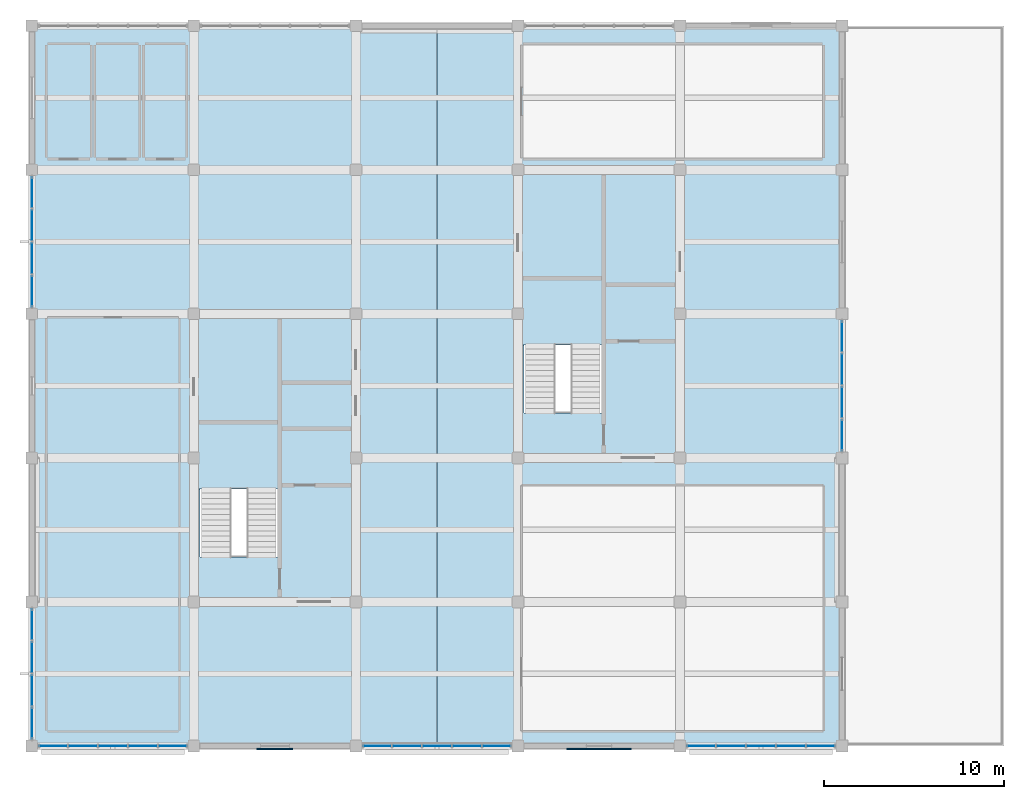
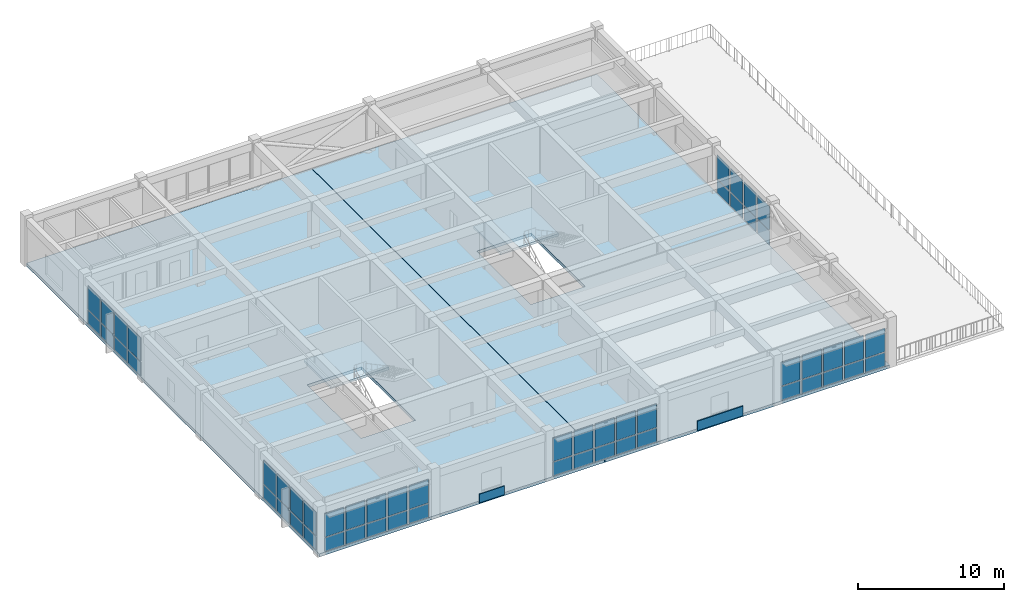
# One storey, part 7 of 12: 56 plates, 4 slabs, 8 elements without a shape of their own.
"""IFC4 building model written with IfcOpenShell, lengths in metres."""

from ifc_helpers import new_model, si_unit, direction, frame, frame_2d, origin, place, context, subcontext, project, spatial, polyline, rectangle, outline, extrude, material, layer, layer_set, type_object, element, aggregate, save


model = new_model("IFC4")

# Units and contexts
model_context = context("Model", 3, precision=1e-05, world=origin(), true_north=direction((0.0, 1.0)))
body_context = subcontext(model_context, "Body", "Model", "MODEL_VIEW")
ifc_project = project(units=[si_unit("LENGTHUNIT", "METRE"), si_unit("AREAUNIT", "SQUARE_METRE"), si_unit("VOLUMEUNIT", "CUBIC_METRE"), si_unit("PLANEANGLEUNIT", "RADIAN"), si_unit("MASSUNIT", "GRAM", prefix="KILO")], contexts=[model_context])

# Site, building, storey
site_placement = place(None, origin())
site = spatial("IfcSite", under=ifc_project, at=site_placement, CompositionType="ELEMENT")
building_placement = place(site_placement, origin())
building = spatial("IfcBuilding", under=site, at=building_placement, Name="Zaverband Oceanarium and Marine Research Institute", CompositionType="ELEMENT")
storey_placement = place(building_placement, frame((0.0, 0.0, 68.699951171875)))
storey = spatial("IfcBuildingStorey", under=building, at=storey_placement, Name="L17", CompositionType="ELEMENT", Elevation=68.699951171875)

# Curtain wall, plates
ifc_material_1 = material(Name="Thermally broken anodized aluminium and solar-control glass", Category="aluminium")
curtain_wall_type = type_object("IfcCurtainWallType", Name="CW-UNIT-1800", PredefinedType="NOTDEFINED", material=ifc_material_1)
curtain_wall_1_placement = place(storey_placement, origin())
curtain_wall_1 = element("IfcCurtainWall", 1, at=curtain_wall_1_placement, inside=storey, type_object=curtain_wall_type, Name="Unitised glazed curtain wall CW-174", PredefinedType="NOTDEFINED")
ifc_material_2 = material(Name="Low-E double-glazed solar-control glass", Category="glass")
ifc_layer_1 = layer(ifc_material_2, 0.033935546875, Name="Low-E double-glazed solar-control glass")
ifc_layer_set_1 = layer_set([ifc_layer_1], Name="Low-E double-glazed solar-control glass")
plate_type_1 = type_object("IfcPlateType", Name="CWP-1608x1145", PredefinedType="CURTAIN_PANEL", material=ifc_layer_set_1)
plate_1_placement = place(storey_placement, frame((9.409912109375, 72.0, 0.050048828125), z_axis=(0.0, 0.0, 1.0), x_axis=(1.0, 0.0, 0.0)))
plate_1 = element("IfcPlate", 2, at=plate_1_placement, type_object=plate_type_1, Name="Glazed curtain wall panel CWP-1608x1145", PredefinedType="CURTAIN_PANEL", context=body_context, shape_type="SweptSolid", body=[
    extrude(rectangle(XDim=1.508056640625, YDim=0.033935546875, at=frame_2d((0.75390625, 0.0))), origin(), (0.0, 0.0, 1.0), 1.14404296875),
])
plate_2_placement = place(storey_placement, frame((11.077880859375, 72.0, 0.050048828125), z_axis=(0.0, 0.0, 1.0), x_axis=(1.0, 0.0, 0.0)))
plate_2 = element("IfcPlate", 3, at=plate_2_placement, type_object=plate_type_1, Name="Glazed curtain wall panel CWP-1608x1145", PredefinedType="CURTAIN_PANEL", context=body_context, shape_type="SweptSolid", body=[
    extrude(rectangle(XDim=1.508056640625, YDim=0.033935546875, at=frame_2d((0.75390625, 0.0))), origin(), (0.0, 0.0, 1.0), 1.14404296875),
])
plate_3_placement = place(storey_placement, frame((12.74609375, 72.0, 0.050048828125), z_axis=(0.0, 0.0, 1.0), x_axis=(1.0, 0.0, 0.0)))
plate_3 = element("IfcPlate", 4, at=plate_3_placement, type_object=plate_type_1, Name="Glazed curtain wall panel CWP-1608x1145", PredefinedType="CURTAIN_PANEL", context=body_context, shape_type="SweptSolid", body=[
    extrude(rectangle(XDim=1.5078125, YDim=0.033935546875, at=frame_2d((0.75390625, 0.0))), origin(), (0.0, 0.0, 1.0), 1.14404296875),
])
plate_4_placement = place(storey_placement, frame((14.4140625, 72.0, 0.050048828125), z_axis=(0.0, 0.0, 1.0), x_axis=(1.0, 0.0, 0.0)))
plate_4 = element("IfcPlate", 5, at=plate_4_placement, type_object=plate_type_1, Name="Glazed curtain wall panel CWP-1608x1145", PredefinedType="CURTAIN_PANEL", context=body_context, shape_type="SweptSolid", body=[
    extrude(rectangle(XDim=1.508056640625, YDim=0.033935546875, at=frame_2d((0.75390625, 0.0))), origin(), (0.0, 0.0, 1.0), 1.14404296875),
])
plate_5_placement = place(storey_placement, frame((16.08203125, 72.0, 0.050048828125), z_axis=(0.0, 0.0, 1.0), x_axis=(1.0, 0.0, 0.0)))
plate_5 = element("IfcPlate", 6, at=plate_5_placement, type_object=plate_type_1, Name="Glazed curtain wall panel CWP-1608x1145", PredefinedType="CURTAIN_PANEL", context=body_context, shape_type="SweptSolid", body=[
    extrude(rectangle(XDim=1.508056640625, YDim=0.033935546875, at=frame_2d((0.75390625, 0.0))), origin(), (0.0, 0.0, 1.0), 1.14404296875),
])

curtain_wall_2_placement = place(storey_placement, origin())
curtain_wall_2 = element("IfcCurtainWall", 7, at=curtain_wall_2_placement, inside=storey, type_object=curtain_wall_type, Name="Unitised glazed curtain wall CW-175", PredefinedType="NOTDEFINED")
plate_6_placement = place(storey_placement, frame((27.409912109375, 72.0, 0.050048828125), z_axis=(0.0, 0.0, 1.0), x_axis=(1.0, 0.0, 0.0)))
plate_6 = element("IfcPlate", 8, at=plate_6_placement, type_object=plate_type_1, Name="Glazed curtain wall panel CWP-1608x1145", PredefinedType="CURTAIN_PANEL", context=body_context, shape_type="SweptSolid", body=[
    extrude(rectangle(XDim=1.508056640625, YDim=0.033935546875, at=frame_2d((0.75390625, 0.0))), origin(), (0.0, 0.0, 1.0), 1.14404296875),
])
plate_7_placement = place(storey_placement, frame((29.077880859375, 72.0, 0.050048828125), z_axis=(0.0, 0.0, 1.0), x_axis=(1.0, 0.0, 0.0)))
plate_7 = element("IfcPlate", 9, at=plate_7_placement, type_object=plate_type_1, Name="Glazed curtain wall panel CWP-1608x1145", PredefinedType="CURTAIN_PANEL", context=body_context, shape_type="SweptSolid", body=[
    extrude(rectangle(XDim=1.508056640625, YDim=0.033935546875, at=frame_2d((0.75390625, 0.0))), origin(), (0.0, 0.0, 1.0), 1.14404296875),
])
plate_8_placement = place(storey_placement, frame((30.74609375, 72.0, 0.050048828125), z_axis=(0.0, 0.0, 1.0), x_axis=(1.0, 0.0, 0.0)))
plate_8 = element("IfcPlate", 10, at=plate_8_placement, type_object=plate_type_1, Name="Glazed curtain wall panel CWP-1608x1145", PredefinedType="CURTAIN_PANEL", context=body_context, shape_type="SweptSolid", body=[
    extrude(rectangle(XDim=1.5078125, YDim=0.033935546875, at=frame_2d((0.75390625, 0.0))), origin(), (0.0, 0.0, 1.0), 1.14404296875),
])
plate_9_placement = place(storey_placement, frame((32.4140625, 72.0, 0.050048828125), z_axis=(0.0, 0.0, 1.0), x_axis=(1.0, 0.0, 0.0)))
plate_9 = element("IfcPlate", 11, at=plate_9_placement, type_object=plate_type_1, Name="Glazed curtain wall panel CWP-1608x1145", PredefinedType="CURTAIN_PANEL", context=body_context, shape_type="SweptSolid", body=[
    extrude(rectangle(XDim=1.508056640625, YDim=0.033935546875, at=frame_2d((0.75390625, 0.0))), origin(), (0.0, 0.0, 1.0), 1.14404296875),
])
plate_10_placement = place(storey_placement, frame((34.08203125, 72.0, 0.050048828125), z_axis=(0.0, 0.0, 1.0), x_axis=(1.0, 0.0, 0.0)))
plate_10 = element("IfcPlate", 12, at=plate_10_placement, type_object=plate_type_1, Name="Glazed curtain wall panel CWP-1608x1145", PredefinedType="CURTAIN_PANEL", context=body_context, shape_type="SweptSolid", body=[
    extrude(rectangle(XDim=1.508056640625, YDim=0.033935546875, at=frame_2d((0.75390625, 0.0))), origin(), (0.0, 0.0, 1.0), 1.14404296875),
])

curtain_wall_3_placement = place(storey_placement, origin())
curtain_wall_3 = element("IfcCurtainWall", 13, at=curtain_wall_3_placement, inside=storey, type_object=curtain_wall_type, Name="Unitised glazed curtain wall CW-176", PredefinedType="NOTDEFINED")
plate_11_placement = place(storey_placement, frame((45.409912109375, 72.0, 0.050048828125), z_axis=(0.0, 0.0, 1.0), x_axis=(1.0, 0.0, 0.0)))
plate_11 = element("IfcPlate", 14, at=plate_11_placement, type_object=plate_type_1, Name="Glazed curtain wall panel CWP-1608x1145", PredefinedType="CURTAIN_PANEL", context=body_context, shape_type="SweptSolid", body=[
    extrude(rectangle(XDim=1.508056640625, YDim=0.033935546875, at=frame_2d((0.75390625, 0.0))), origin(), (0.0, 0.0, 1.0), 1.14404296875),
])
plate_12_placement = place(storey_placement, frame((47.077880859375, 72.0, 0.050048828125), z_axis=(0.0, 0.0, 1.0), x_axis=(1.0, 0.0, 0.0)))
plate_12 = element("IfcPlate", 15, at=plate_12_placement, type_object=plate_type_1, Name="Glazed curtain wall panel CWP-1608x1145", PredefinedType="CURTAIN_PANEL", context=body_context, shape_type="SweptSolid", body=[
    extrude(rectangle(XDim=1.508056640625, YDim=0.033935546875, at=frame_2d((0.75390625, 0.0))), origin(), (0.0, 0.0, 1.0), 1.14404296875),
])
plate_13_placement = place(storey_placement, frame((48.74609375, 72.0, 0.050048828125), z_axis=(0.0, 0.0, 1.0), x_axis=(1.0, 0.0, 0.0)))
plate_13 = element("IfcPlate", 16, at=plate_13_placement, type_object=plate_type_1, Name="Glazed curtain wall panel CWP-1608x1145", PredefinedType="CURTAIN_PANEL", context=body_context, shape_type="SweptSolid", body=[
    extrude(rectangle(XDim=1.5078125, YDim=0.033935546875, at=frame_2d((0.75390625, 0.0))), origin(), (0.0, 0.0, 1.0), 1.14404296875),
])
plate_14_placement = place(storey_placement, frame((50.4140625, 72.0, 0.050048828125), z_axis=(0.0, 0.0, 1.0), x_axis=(1.0, 0.0, 0.0)))
plate_14 = element("IfcPlate", 17, at=plate_14_placement, type_object=plate_type_1, Name="Glazed curtain wall panel CWP-1608x1145", PredefinedType="CURTAIN_PANEL", context=body_context, shape_type="SweptSolid", body=[
    extrude(rectangle(XDim=1.508056640625, YDim=0.033935546875, at=frame_2d((0.75390625, 0.0))), origin(), (0.0, 0.0, 1.0), 1.14404296875),
])
plate_15_placement = place(storey_placement, frame((52.08203125, 72.0, 0.050048828125), z_axis=(0.0, 0.0, 1.0), x_axis=(1.0, 0.0, 0.0)))
plate_15 = element("IfcPlate", 18, at=plate_15_placement, type_object=plate_type_1, Name="Glazed curtain wall panel CWP-1608x1145", PredefinedType="CURTAIN_PANEL", context=body_context, shape_type="SweptSolid", body=[
    extrude(rectangle(XDim=1.508056640625, YDim=0.033935546875, at=frame_2d((0.75390625, 0.0))), origin(), (0.0, 0.0, 1.0), 1.14404296875),
])

curtain_wall_4_placement = place(storey_placement, origin())
curtain_wall_4 = element("IfcCurtainWall", 19, at=curtain_wall_4_placement, inside=storey, type_object=curtain_wall_type, Name="Unitised glazed curtain wall CW-180", PredefinedType="NOTDEFINED")
plate_16_placement = place(storey_placement, frame((9.0, 72.409912109375, 0.050048828125), z_axis=(0.0, 0.0, 1.0), x_axis=(0.0, 1.0, 0.0)))
plate_16 = element("IfcPlate", 20, at=plate_16_placement, type_object=plate_type_1, Name="Glazed curtain wall panel CWP-1608x1145", PredefinedType="CURTAIN_PANEL", context=body_context, shape_type="SweptSolid", body=[
    extrude(rectangle(XDim=1.675048828125, YDim=0.033935546875, at=frame_2d((0.83740234375, 0.0))), origin(), (0.0, 0.0, 1.0), 1.14404296875),
])
plate_17_placement = place(storey_placement, frame((9.0, 74.2451171875, 0.050048828125), z_axis=(0.0, 0.0, 1.0), x_axis=(0.0, 1.0, 0.0)))
plate_17 = element("IfcPlate", 21, at=plate_17_placement, type_object=plate_type_1, Name="Glazed curtain wall panel CWP-1608x1145", PredefinedType="CURTAIN_PANEL", context=body_context, shape_type="SweptSolid", body=[
    extrude(rectangle(XDim=1.6748046875, YDim=0.033935546875, at=frame_2d((0.83740234375, 0.0))), origin(), (0.0, 0.0, 1.0), 1.14404296875),
])
plate_18_placement = place(storey_placement, frame((9.0, 76.080078125, 0.050048828125), z_axis=(0.0, 0.0, 1.0), x_axis=(0.0, 1.0, 0.0)))
plate_18 = element("IfcPlate", 22, at=plate_18_placement, type_object=plate_type_1, Name="Glazed curtain wall panel CWP-1608x1145", PredefinedType="CURTAIN_PANEL", context=body_context, shape_type="SweptSolid", body=[
    extrude(rectangle(XDim=1.6748046875, YDim=0.033935546875, at=frame_2d((0.83740234375, 0.0))), origin(), (0.0, 0.0, 1.0), 1.14404296875),
])
plate_19_placement = place(storey_placement, frame((9.0, 77.9150390625, 0.050048828125), z_axis=(0.0, 0.0, 1.0), x_axis=(0.0, 1.0, 0.0)))
plate_19 = element("IfcPlate", 23, at=plate_19_placement, type_object=plate_type_1, Name="Glazed curtain wall panel CWP-1608x1145", PredefinedType="CURTAIN_PANEL", context=body_context, shape_type="SweptSolid", body=[
    extrude(rectangle(XDim=1.675048828125, YDim=0.033935546875, at=frame_2d((0.83740234375, 0.0))), origin(), (0.0, 0.0, 1.0), 1.14404296875),
])

curtain_wall_5_placement = place(storey_placement, origin())
curtain_wall_5 = element("IfcCurtainWall", 24, at=curtain_wall_5_placement, inside=storey, type_object=curtain_wall_type, Name="Unitised glazed curtain wall CW-181", PredefinedType="NOTDEFINED")
plate_20_placement = place(storey_placement, frame((9.0, 96.409912109375, 0.050048828125), z_axis=(0.0, 0.0, 1.0), x_axis=(0.0, 1.0, 0.0)))
plate_20 = element("IfcPlate", 25, at=plate_20_placement, type_object=plate_type_1, Name="Glazed curtain wall panel CWP-1608x1145", PredefinedType="CURTAIN_PANEL", context=body_context, shape_type="SweptSolid", body=[
    extrude(rectangle(XDim=1.675048828125, YDim=0.033935546875, at=frame_2d((0.83740234375, 0.0))), origin(), (0.0, 0.0, 1.0), 1.14404296875),
])
plate_21_placement = place(storey_placement, frame((9.0, 98.2451171875, 0.050048828125), z_axis=(0.0, 0.0, 1.0), x_axis=(0.0, 1.0, 0.0)))
plate_21 = element("IfcPlate", 26, at=plate_21_placement, type_object=plate_type_1, Name="Glazed curtain wall panel CWP-1608x1145", PredefinedType="CURTAIN_PANEL", context=body_context, shape_type="SweptSolid", body=[
    extrude(rectangle(XDim=1.6748046875, YDim=0.033935546875, at=frame_2d((0.83740234375, 0.0))), origin(), (0.0, 0.0, 1.0), 1.14404296875),
])
plate_22_placement = place(storey_placement, frame((9.0, 100.080078125, 0.050048828125), z_axis=(0.0, 0.0, 1.0), x_axis=(0.0, 1.0, 0.0)))
plate_22 = element("IfcPlate", 27, at=plate_22_placement, type_object=plate_type_1, Name="Glazed curtain wall panel CWP-1608x1145", PredefinedType="CURTAIN_PANEL", context=body_context, shape_type="SweptSolid", body=[
    extrude(rectangle(XDim=1.6748046875, YDim=0.033935546875, at=frame_2d((0.83740234375, 0.0))), origin(), (0.0, 0.0, 1.0), 1.14404296875),
])
plate_23_placement = place(storey_placement, frame((9.0, 101.9150390625, 0.050048828125), z_axis=(0.0, 0.0, 1.0), x_axis=(0.0, 1.0, 0.0)))
plate_23 = element("IfcPlate", 28, at=plate_23_placement, type_object=plate_type_1, Name="Glazed curtain wall panel CWP-1608x1145", PredefinedType="CURTAIN_PANEL", context=body_context, shape_type="SweptSolid", body=[
    extrude(rectangle(XDim=1.675048828125, YDim=0.033935546875, at=frame_2d((0.83740234375, 0.0))), origin(), (0.0, 0.0, 1.0), 1.14404296875),
])

curtain_wall_6_placement = place(storey_placement, origin())
curtain_wall_6 = element("IfcCurtainWall", 29, at=curtain_wall_6_placement, inside=storey, type_object=curtain_wall_type, Name="Unitised glazed curtain wall CW-182", PredefinedType="NOTDEFINED")
plate_24_placement = place(storey_placement, frame((54.0, 88.409912109375, 0.050048828125), z_axis=(0.0, 0.0, 1.0), x_axis=(0.0, 1.0, 0.0)))
plate_24 = element("IfcPlate", 30, at=plate_24_placement, type_object=plate_type_1, Name="Glazed curtain wall panel CWP-1608x1145", PredefinedType="CURTAIN_PANEL", context=body_context, shape_type="SweptSolid", body=[
    extrude(rectangle(XDim=1.675048828125, YDim=0.033935546875, at=frame_2d((0.83740234375, 0.0))), origin(), (0.0, 0.0, 1.0), 1.14404296875),
])
plate_25_placement = place(storey_placement, frame((54.0, 90.2451171875, 0.050048828125), z_axis=(0.0, 0.0, 1.0), x_axis=(0.0, 1.0, 0.0)))
plate_25 = element("IfcPlate", 31, at=plate_25_placement, type_object=plate_type_1, Name="Glazed curtain wall panel CWP-1608x1145", PredefinedType="CURTAIN_PANEL", context=body_context, shape_type="SweptSolid", body=[
    extrude(rectangle(XDim=1.6748046875, YDim=0.033935546875, at=frame_2d((0.83740234375, 0.0))), origin(), (0.0, 0.0, 1.0), 1.14404296875),
])
plate_26_placement = place(storey_placement, frame((54.0, 92.080078125, 0.050048828125), z_axis=(0.0, 0.0, 1.0), x_axis=(0.0, 1.0, 0.0)))
plate_26 = element("IfcPlate", 32, at=plate_26_placement, type_object=plate_type_1, Name="Glazed curtain wall panel CWP-1608x1145", PredefinedType="CURTAIN_PANEL", context=body_context, shape_type="SweptSolid", body=[
    extrude(rectangle(XDim=1.6748046875, YDim=0.033935546875, at=frame_2d((0.83740234375, 0.0))), origin(), (0.0, 0.0, 1.0), 1.14404296875),
])
plate_27_placement = place(storey_placement, frame((54.0, 93.9150390625, 0.050048828125), z_axis=(0.0, 0.0, 1.0), x_axis=(0.0, 1.0, 0.0)))
plate_27 = element("IfcPlate", 33, at=plate_27_placement, type_object=plate_type_1, Name="Glazed curtain wall panel CWP-1608x1145", PredefinedType="CURTAIN_PANEL", context=body_context, shape_type="SweptSolid", body=[
    extrude(rectangle(XDim=1.675048828125, YDim=0.033935546875, at=frame_2d((0.83740234375, 0.0))), origin(), (0.0, 0.0, 1.0), 1.14404296875),
])

# Plate
ifc_layer_2 = layer(ifc_material_2, 0.035888671875, Name="Low-E double-glazed solar-control glass")
ifc_layer_set_2 = layer_set([ifc_layer_2], Name="Low-E double-glazed solar-control glass")
plate_type_2 = type_object("IfcPlateType", Name="CWP-1608x1965", PredefinedType="CURTAIN_PANEL", material=ifc_layer_set_2)
plate_28_placement = place(storey_placement, frame((9.409912109375, 72.0, 1.26416015625), z_axis=(0.0, 0.0, 1.0), x_axis=(1.0, 0.0, 0.0)))
plate_28 = element("IfcPlate", 34, at=plate_28_placement, type_object=plate_type_2, Name="Glazed curtain wall panel CWP-1608x1965", PredefinedType="CURTAIN_PANEL", context=body_context, shape_type="SweptSolid", body=[
    extrude(rectangle(XDim=1.508056640625, YDim=0.035888671875, at=frame_2d((0.75390625, 0.0))), origin(), (0.0, 0.0, 1.0), 1.9658203125),
])

plate_29_placement = place(storey_placement, frame((11.077880859375, 72.0, 1.26416015625), z_axis=(0.0, 0.0, 1.0), x_axis=(1.0, 0.0, 0.0)))
plate_29 = element("IfcPlate", 35, at=plate_29_placement, type_object=plate_type_2, Name="Glazed curtain wall panel CWP-1608x1965", PredefinedType="CURTAIN_PANEL", context=body_context, shape_type="SweptSolid", body=[
    extrude(rectangle(XDim=1.508056640625, YDim=0.035888671875, at=frame_2d((0.75390625, 0.0))), origin(), (0.0, 0.0, 1.0), 1.9658203125),
])

plate_30_placement = place(storey_placement, frame((12.74609375, 72.0, 1.26416015625), z_axis=(0.0, 0.0, 1.0), x_axis=(1.0, 0.0, 0.0)))
plate_30 = element("IfcPlate", 36, at=plate_30_placement, type_object=plate_type_2, Name="Glazed curtain wall panel CWP-1608x1965", PredefinedType="CURTAIN_PANEL", context=body_context, shape_type="SweptSolid", body=[
    extrude(rectangle(XDim=1.5078125, YDim=0.035888671875, at=frame_2d((0.75390625, 0.0))), origin(), (0.0, 0.0, 1.0), 1.9658203125),
])

plate_31_placement = place(storey_placement, frame((14.4140625, 72.0, 1.26416015625), z_axis=(0.0, 0.0, 1.0), x_axis=(1.0, 0.0, 0.0)))
plate_31 = element("IfcPlate", 37, at=plate_31_placement, type_object=plate_type_2, Name="Glazed curtain wall panel CWP-1608x1965", PredefinedType="CURTAIN_PANEL", context=body_context, shape_type="SweptSolid", body=[
    extrude(rectangle(XDim=1.508056640625, YDim=0.035888671875, at=frame_2d((0.75390625, 0.0))), origin(), (0.0, 0.0, 1.0), 1.9658203125),
])

plate_32_placement = place(storey_placement, frame((16.08203125, 72.0, 1.26416015625), z_axis=(0.0, 0.0, 1.0), x_axis=(1.0, 0.0, 0.0)))
plate_32 = element("IfcPlate", 38, at=plate_32_placement, type_object=plate_type_2, Name="Glazed curtain wall panel CWP-1608x1965", PredefinedType="CURTAIN_PANEL", context=body_context, shape_type="SweptSolid", body=[
    extrude(rectangle(XDim=1.508056640625, YDim=0.035888671875, at=frame_2d((0.75390625, 0.0))), origin(), (0.0, 0.0, 1.0), 1.9658203125),
])

aggregate(curtain_wall_1, [plate_1, plate_28, plate_2, plate_29, plate_3, plate_30, plate_4, plate_31, plate_5, plate_32])

plate_33_placement = place(storey_placement, frame((27.409912109375, 72.0, 1.26416015625), z_axis=(0.0, 0.0, 1.0), x_axis=(1.0, 0.0, 0.0)))
plate_33 = element("IfcPlate", 39, at=plate_33_placement, type_object=plate_type_2, Name="Glazed curtain wall panel CWP-1608x1965", PredefinedType="CURTAIN_PANEL", context=body_context, shape_type="SweptSolid", body=[
    extrude(rectangle(XDim=1.508056640625, YDim=0.035888671875, at=frame_2d((0.75390625, 0.0))), origin(), (0.0, 0.0, 1.0), 1.9658203125),
])

plate_34_placement = place(storey_placement, frame((29.077880859375, 72.0, 1.26416015625), z_axis=(0.0, 0.0, 1.0), x_axis=(1.0, 0.0, 0.0)))
plate_34 = element("IfcPlate", 40, at=plate_34_placement, type_object=plate_type_2, Name="Glazed curtain wall panel CWP-1608x1965", PredefinedType="CURTAIN_PANEL", context=body_context, shape_type="SweptSolid", body=[
    extrude(rectangle(XDim=1.508056640625, YDim=0.035888671875, at=frame_2d((0.75390625, 0.0))), origin(), (0.0, 0.0, 1.0), 1.9658203125),
])

plate_35_placement = place(storey_placement, frame((30.74609375, 72.0, 1.26416015625), z_axis=(0.0, 0.0, 1.0), x_axis=(1.0, 0.0, 0.0)))
plate_35 = element("IfcPlate", 41, at=plate_35_placement, type_object=plate_type_2, Name="Glazed curtain wall panel CWP-1608x1965", PredefinedType="CURTAIN_PANEL", context=body_context, shape_type="SweptSolid", body=[
    extrude(rectangle(XDim=1.5078125, YDim=0.035888671875, at=frame_2d((0.75390625, 0.0))), origin(), (0.0, 0.0, 1.0), 1.9658203125),
])

plate_36_placement = place(storey_placement, frame((32.4140625, 72.0, 1.26416015625), z_axis=(0.0, 0.0, 1.0), x_axis=(1.0, 0.0, 0.0)))
plate_36 = element("IfcPlate", 42, at=plate_36_placement, type_object=plate_type_2, Name="Glazed curtain wall panel CWP-1608x1965", PredefinedType="CURTAIN_PANEL", context=body_context, shape_type="SweptSolid", body=[
    extrude(rectangle(XDim=1.508056640625, YDim=0.035888671875, at=frame_2d((0.75390625, 0.0))), origin(), (0.0, 0.0, 1.0), 1.9658203125),
])

plate_37_placement = place(storey_placement, frame((34.08203125, 72.0, 1.26416015625), z_axis=(0.0, 0.0, 1.0), x_axis=(1.0, 0.0, 0.0)))
plate_37 = element("IfcPlate", 43, at=plate_37_placement, type_object=plate_type_2, Name="Glazed curtain wall panel CWP-1608x1965", PredefinedType="CURTAIN_PANEL", context=body_context, shape_type="SweptSolid", body=[
    extrude(rectangle(XDim=1.508056640625, YDim=0.035888671875, at=frame_2d((0.75390625, 0.0))), origin(), (0.0, 0.0, 1.0), 1.9658203125),
])

aggregate(curtain_wall_2, [plate_6, plate_33, plate_7, plate_34, plate_8, plate_35, plate_9, plate_36, plate_10, plate_37])

plate_38_placement = place(storey_placement, frame((45.409912109375, 72.0, 1.26416015625), z_axis=(0.0, 0.0, 1.0), x_axis=(1.0, 0.0, 0.0)))
plate_38 = element("IfcPlate", 44, at=plate_38_placement, type_object=plate_type_2, Name="Glazed curtain wall panel CWP-1608x1965", PredefinedType="CURTAIN_PANEL", context=body_context, shape_type="SweptSolid", body=[
    extrude(rectangle(XDim=1.508056640625, YDim=0.035888671875, at=frame_2d((0.75390625, 0.0))), origin(), (0.0, 0.0, 1.0), 1.9658203125),
])

plate_39_placement = place(storey_placement, frame((47.077880859375, 72.0, 1.26416015625), z_axis=(0.0, 0.0, 1.0), x_axis=(1.0, 0.0, 0.0)))
plate_39 = element("IfcPlate", 45, at=plate_39_placement, type_object=plate_type_2, Name="Glazed curtain wall panel CWP-1608x1965", PredefinedType="CURTAIN_PANEL", context=body_context, shape_type="SweptSolid", body=[
    extrude(rectangle(XDim=1.508056640625, YDim=0.035888671875, at=frame_2d((0.75390625, 0.0))), origin(), (0.0, 0.0, 1.0), 1.9658203125),
])

plate_40_placement = place(storey_placement, frame((48.74609375, 72.0, 1.26416015625), z_axis=(0.0, 0.0, 1.0), x_axis=(1.0, 0.0, 0.0)))
plate_40 = element("IfcPlate", 46, at=plate_40_placement, type_object=plate_type_2, Name="Glazed curtain wall panel CWP-1608x1965", PredefinedType="CURTAIN_PANEL", context=body_context, shape_type="SweptSolid", body=[
    extrude(rectangle(XDim=1.5078125, YDim=0.035888671875, at=frame_2d((0.75390625, 0.0))), origin(), (0.0, 0.0, 1.0), 1.9658203125),
])

plate_41_placement = place(storey_placement, frame((50.4140625, 72.0, 1.26416015625), z_axis=(0.0, 0.0, 1.0), x_axis=(1.0, 0.0, 0.0)))
plate_41 = element("IfcPlate", 47, at=plate_41_placement, type_object=plate_type_2, Name="Glazed curtain wall panel CWP-1608x1965", PredefinedType="CURTAIN_PANEL", context=body_context, shape_type="SweptSolid", body=[
    extrude(rectangle(XDim=1.508056640625, YDim=0.035888671875, at=frame_2d((0.75390625, 0.0))), origin(), (0.0, 0.0, 1.0), 1.9658203125),
])

plate_42_placement = place(storey_placement, frame((52.08203125, 72.0, 1.26416015625), z_axis=(0.0, 0.0, 1.0), x_axis=(1.0, 0.0, 0.0)))
plate_42 = element("IfcPlate", 48, at=plate_42_placement, type_object=plate_type_2, Name="Glazed curtain wall panel CWP-1608x1965", PredefinedType="CURTAIN_PANEL", context=body_context, shape_type="SweptSolid", body=[
    extrude(rectangle(XDim=1.508056640625, YDim=0.035888671875, at=frame_2d((0.75390625, 0.0))), origin(), (0.0, 0.0, 1.0), 1.9658203125),
])

aggregate(curtain_wall_3, [plate_11, plate_38, plate_12, plate_39, plate_13, plate_40, plate_14, plate_41, plate_15, plate_42])

plate_43_placement = place(storey_placement, frame((9.0, 72.409912109375, 1.26416015625), z_axis=(0.0, 0.0, 1.0), x_axis=(0.0, 1.0, 0.0)))
plate_43 = element("IfcPlate", 49, at=plate_43_placement, type_object=plate_type_2, Name="Glazed curtain wall panel CWP-1608x1965", PredefinedType="CURTAIN_PANEL", context=body_context, shape_type="SweptSolid", body=[
    extrude(rectangle(XDim=1.675048828125, YDim=0.035888671875, at=frame_2d((0.83740234375, 0.0))), origin(), (0.0, 0.0, 1.0), 1.9658203125),
])

plate_44_placement = place(storey_placement, frame((9.0, 74.2451171875, 1.26416015625), z_axis=(0.0, 0.0, 1.0), x_axis=(0.0, 1.0, 0.0)))
plate_44 = element("IfcPlate", 50, at=plate_44_placement, type_object=plate_type_2, Name="Glazed curtain wall panel CWP-1608x1965", PredefinedType="CURTAIN_PANEL", context=body_context, shape_type="SweptSolid", body=[
    extrude(rectangle(XDim=1.6748046875, YDim=0.035888671875, at=frame_2d((0.83740234375, 0.0))), origin(), (0.0, 0.0, 1.0), 1.9658203125),
])

plate_45_placement = place(storey_placement, frame((9.0, 76.080078125, 1.26416015625), z_axis=(0.0, 0.0, 1.0), x_axis=(0.0, 1.0, 0.0)))
plate_45 = element("IfcPlate", 51, at=plate_45_placement, type_object=plate_type_2, Name="Glazed curtain wall panel CWP-1608x1965", PredefinedType="CURTAIN_PANEL", context=body_context, shape_type="SweptSolid", body=[
    extrude(rectangle(XDim=1.6748046875, YDim=0.035888671875, at=frame_2d((0.83740234375, 0.0))), origin(), (0.0, 0.0, 1.0), 1.9658203125),
])

plate_46_placement = place(storey_placement, frame((9.0, 77.9150390625, 1.26416015625), z_axis=(0.0, 0.0, 1.0), x_axis=(0.0, 1.0, 0.0)))
plate_46 = element("IfcPlate", 52, at=plate_46_placement, type_object=plate_type_2, Name="Glazed curtain wall panel CWP-1608x1965", PredefinedType="CURTAIN_PANEL", context=body_context, shape_type="SweptSolid", body=[
    extrude(rectangle(XDim=1.675048828125, YDim=0.035888671875, at=frame_2d((0.83740234375, 0.0))), origin(), (0.0, 0.0, 1.0), 1.9658203125),
])

aggregate(curtain_wall_4, [plate_16, plate_43, plate_17, plate_44, plate_18, plate_45, plate_19, plate_46])

plate_47_placement = place(storey_placement, frame((9.0, 96.409912109375, 1.26416015625), z_axis=(0.0, 0.0, 1.0), x_axis=(0.0, 1.0, 0.0)))
plate_47 = element("IfcPlate", 53, at=plate_47_placement, type_object=plate_type_2, Name="Glazed curtain wall panel CWP-1608x1965", PredefinedType="CURTAIN_PANEL", context=body_context, shape_type="SweptSolid", body=[
    extrude(rectangle(XDim=1.675048828125, YDim=0.035888671875, at=frame_2d((0.83740234375, 0.0))), origin(), (0.0, 0.0, 1.0), 1.9658203125),
])

plate_48_placement = place(storey_placement, frame((9.0, 98.2451171875, 1.26416015625), z_axis=(0.0, 0.0, 1.0), x_axis=(0.0, 1.0, 0.0)))
plate_48 = element("IfcPlate", 54, at=plate_48_placement, type_object=plate_type_2, Name="Glazed curtain wall panel CWP-1608x1965", PredefinedType="CURTAIN_PANEL", context=body_context, shape_type="SweptSolid", body=[
    extrude(rectangle(XDim=1.6748046875, YDim=0.035888671875, at=frame_2d((0.83740234375, 0.0))), origin(), (0.0, 0.0, 1.0), 1.9658203125),
])

plate_49_placement = place(storey_placement, frame((9.0, 100.080078125, 1.26416015625), z_axis=(0.0, 0.0, 1.0), x_axis=(0.0, 1.0, 0.0)))
plate_49 = element("IfcPlate", 55, at=plate_49_placement, type_object=plate_type_2, Name="Glazed curtain wall panel CWP-1608x1965", PredefinedType="CURTAIN_PANEL", context=body_context, shape_type="SweptSolid", body=[
    extrude(rectangle(XDim=1.6748046875, YDim=0.035888671875, at=frame_2d((0.83740234375, 0.0))), origin(), (0.0, 0.0, 1.0), 1.9658203125),
])

plate_50_placement = place(storey_placement, frame((9.0, 101.9150390625, 1.26416015625), z_axis=(0.0, 0.0, 1.0), x_axis=(0.0, 1.0, 0.0)))
plate_50 = element("IfcPlate", 56, at=plate_50_placement, type_object=plate_type_2, Name="Glazed curtain wall panel CWP-1608x1965", PredefinedType="CURTAIN_PANEL", context=body_context, shape_type="SweptSolid", body=[
    extrude(rectangle(XDim=1.675048828125, YDim=0.035888671875, at=frame_2d((0.83740234375, 0.0))), origin(), (0.0, 0.0, 1.0), 1.9658203125),
])

aggregate(curtain_wall_5, [plate_20, plate_47, plate_21, plate_48, plate_22, plate_49, plate_23, plate_50])

plate_51_placement = place(storey_placement, frame((54.0, 88.409912109375, 1.26416015625), z_axis=(0.0, 0.0, 1.0), x_axis=(0.0, 1.0, 0.0)))
plate_51 = element("IfcPlate", 57, at=plate_51_placement, type_object=plate_type_2, Name="Glazed curtain wall panel CWP-1608x1965", PredefinedType="CURTAIN_PANEL", context=body_context, shape_type="SweptSolid", body=[
    extrude(rectangle(XDim=1.675048828125, YDim=0.035888671875, at=frame_2d((0.83740234375, 0.0))), origin(), (0.0, 0.0, 1.0), 1.9658203125),
])

plate_52_placement = place(storey_placement, frame((54.0, 90.2451171875, 1.26416015625), z_axis=(0.0, 0.0, 1.0), x_axis=(0.0, 1.0, 0.0)))
plate_52 = element("IfcPlate", 58, at=plate_52_placement, type_object=plate_type_2, Name="Glazed curtain wall panel CWP-1608x1965", PredefinedType="CURTAIN_PANEL", context=body_context, shape_type="SweptSolid", body=[
    extrude(rectangle(XDim=1.6748046875, YDim=0.035888671875, at=frame_2d((0.83740234375, 0.0))), origin(), (0.0, 0.0, 1.0), 1.9658203125),
])

plate_53_placement = place(storey_placement, frame((54.0, 92.080078125, 1.26416015625), z_axis=(0.0, 0.0, 1.0), x_axis=(0.0, 1.0, 0.0)))
plate_53 = element("IfcPlate", 59, at=plate_53_placement, type_object=plate_type_2, Name="Glazed curtain wall panel CWP-1608x1965", PredefinedType="CURTAIN_PANEL", context=body_context, shape_type="SweptSolid", body=[
    extrude(rectangle(XDim=1.6748046875, YDim=0.035888671875, at=frame_2d((0.83740234375, 0.0))), origin(), (0.0, 0.0, 1.0), 1.9658203125),
])

plate_54_placement = place(storey_placement, frame((54.0, 93.9150390625, 1.26416015625), z_axis=(0.0, 0.0, 1.0), x_axis=(0.0, 1.0, 0.0)))
plate_54 = element("IfcPlate", 60, at=plate_54_placement, type_object=plate_type_2, Name="Glazed curtain wall panel CWP-1608x1965", PredefinedType="CURTAIN_PANEL", context=body_context, shape_type="SweptSolid", body=[
    extrude(rectangle(XDim=1.675048828125, YDim=0.035888671875, at=frame_2d((0.83740234375, 0.0))), origin(), (0.0, 0.0, 1.0), 1.9658203125),
])

aggregate(curtain_wall_6, [plate_24, plate_51, plate_25, plate_52, plate_26, plate_53, plate_27, plate_54])

# Plates
ifc_material_3 = material(Name="Concrete C40/50 precast ochre", Category="concrete")
ifc_layer_3 = layer(ifc_material_3, 0.070068359375, Name="Concrete C40/50 precast ochre")
ifc_layer_set_3 = layer_set([ifc_layer_3], Name="Concrete C40/50 precast ochre")
plate_type_3 = type_object("IfcPlateType", Name="FRP-2000x720", PredefinedType="USERDEFINED", material=ifc_layer_set_3)
plate_55_placement = place(storey_placement, frame((21.5, 71.8349609375, 0.0), z_axis=(0.0, 0.0, 1.0), x_axis=(1.0, 0.0, 0.0)))
element("IfcPlate", 61, at=plate_55_placement, inside=storey, type_object=plate_type_3, Name="Geometric precast facade cladding panel FRP-2000x720", ObjectType="FLANGE_PLATE", PredefinedType="USERDEFINED", context=body_context, shape_type="SweptSolid", body=[
    extrude(rectangle(XDim=2.0, YDim=0.070068359375, at=frame_2d((1.0, 0.0))), origin(), (0.0, 0.0, 1.0), 0.719970703125),
])
ifc_layer_4 = layer(ifc_material_3, 0.0849609375, Name="Concrete C40/50 precast ochre")
ifc_layer_set_4 = layer_set([ifc_layer_4], Name="Concrete C40/50 precast ochre")
plate_type_4 = type_object("IfcPlateType", Name="FRP-3600x800", PredefinedType="USERDEFINED", material=ifc_layer_set_4)
plate_56_placement = place(storey_placement, frame((38.699951171875, 71.827392578125, 0.0), z_axis=(0.0, 0.0, 1.0), x_axis=(1.0, 0.0, 0.0)))
element("IfcPlate", 62, at=plate_56_placement, inside=storey, type_object=plate_type_4, Name="Geometric precast facade cladding panel FRP-3600x800", ObjectType="FLANGE_PLATE", PredefinedType="USERDEFINED", context=body_context, shape_type="SweptSolid", body=[
    extrude(rectangle(XDim=3.60009765625, YDim=0.0849609375, at=frame_2d((1.800048828125, 0.0))), origin(), (0.0, 0.0, 1.0), 0.800048828125),
])

# Slabs
ifc_material_4 = material(Name="Concrete C40/50", Category="concrete")
ifc_layer_5 = layer(ifc_material_4, 0.25, Name="Concrete C40/50")
ifc_layer_set_5 = layer_set([ifc_layer_5], Name="Concrete C40/50")
slab_type_1 = type_object("IfcSlabType", Name="SLB-LAB-250", PredefinedType="FLOOR", material=ifc_layer_set_5)
slab_1_placement = place(storey_placement, frame((0.0, 0.0, -0.25)))
element("IfcSlab", 63, at=slab_1_placement, inside=storey, type_object=slab_type_1, Name="Suspended floor slab SLB-LAB-250", PredefinedType="FLOOR", context=body_context, shape_type="SweptSolid", body=[
    extrude(outline(polyline([(9.0, 112.0), (31.485107421875, 112.0), (31.485107421875, 72.0), (9.0, 72.0), (9.0, 112.0)]), holes=[polyline([(18.35009765625, 82.5), (22.64990234375, 82.5), (22.64990234375, 89.85009765625), (18.35009765625, 89.85009765625), (18.35009765625, 82.5)])]), origin(), (0.0, 0.0, 1.0), 0.25),
])
slab_2_placement = place(storey_placement, frame((0.0, 0.0, -0.25)))
element("IfcSlab", 64, at=slab_2_placement, inside=storey, type_object=slab_type_1, Name="Suspended floor slab SLB-LAB-250", PredefinedType="FLOOR", context=body_context, shape_type="SweptSolid", body=[
    extrude(outline(polyline([(31.514892578125, 112.0), (54.0, 112.0), (54.0, 72.0), (31.514892578125, 72.0), (31.514892578125, 112.0)]), holes=[polyline([(36.35009765625, 90.5), (40.64990234375, 90.5), (40.64990234375, 97.85009765625), (36.35009765625, 97.85009765625), (36.35009765625, 90.5)])]), origin(), (0.0, 0.0, 1.0), 0.25),
])

# Stair, slab
stair_type = type_object("IfcStairType", Name="STR-TWR-1650-4200", PredefinedType="HALF_TURN_STAIR", material=ifc_material_4)
stair_1_placement = place(storey_placement, origin())
stair_1 = element("IfcStair", 65, at=stair_1_placement, inside=storey, type_object=stair_type, Name="Exit Stair ST-01 (L17)", PredefinedType="HALF_TURN_STAIR")
ifc_layer_6 = layer(ifc_material_4, 0.199951171875, Name="Concrete C40/50")
ifc_layer_set_6 = layer_set([ifc_layer_6], Name="Concrete C40/50")
slab_type_2 = type_object("IfcSlabType", Name="SLB-LND-200", PredefinedType="LANDING", material=ifc_layer_set_6)
slab_3_placement = place(storey_placement, frame((0.0, 0.0, 1.900146484375)))
slab_3 = element("IfcSlab", 66, at=slab_3_placement, type_object=slab_type_2, Name="Stair / ramp landing slab SLB-LND-200", PredefinedType="LANDING", context=body_context, shape_type="SweptSolid", body=[
    extrude(outline(polyline([(18.139892578125, 86.27001953125), (22.735107421875, 86.27001953125), (22.735107421875, 89.93505859375), (18.139892578125, 89.93505859375), (18.139892578125, 86.27001953125)])), origin(), (0.0, 0.0, 1.0), 0.199951171875),
])
aggregate(stair_1, [slab_3])

stair_2_placement = place(storey_placement, origin())
stair_2 = element("IfcStair", 67, at=stair_2_placement, inside=storey, type_object=stair_type, Name="Exit Stair ST-02 (L17)", PredefinedType="HALF_TURN_STAIR")
slab_4_placement = place(storey_placement, frame((0.0, 0.0, 1.900146484375)))
slab_4 = element("IfcSlab", 68, at=slab_4_placement, type_object=slab_type_2, Name="Stair / ramp landing slab SLB-LND-200", PredefinedType="LANDING", context=body_context, shape_type="SweptSolid", body=[
    extrude(outline(polyline([(36.139892578125, 94.27001953125), (40.735107421875, 94.27001953125), (40.735107421875, 97.93505859375), (36.139892578125, 97.93505859375), (36.139892578125, 94.27001953125)])), origin(), (0.0, 0.0, 1.0), 0.199951171875),
])
aggregate(stair_2, [slab_4])

save(model, "model.ifc")
